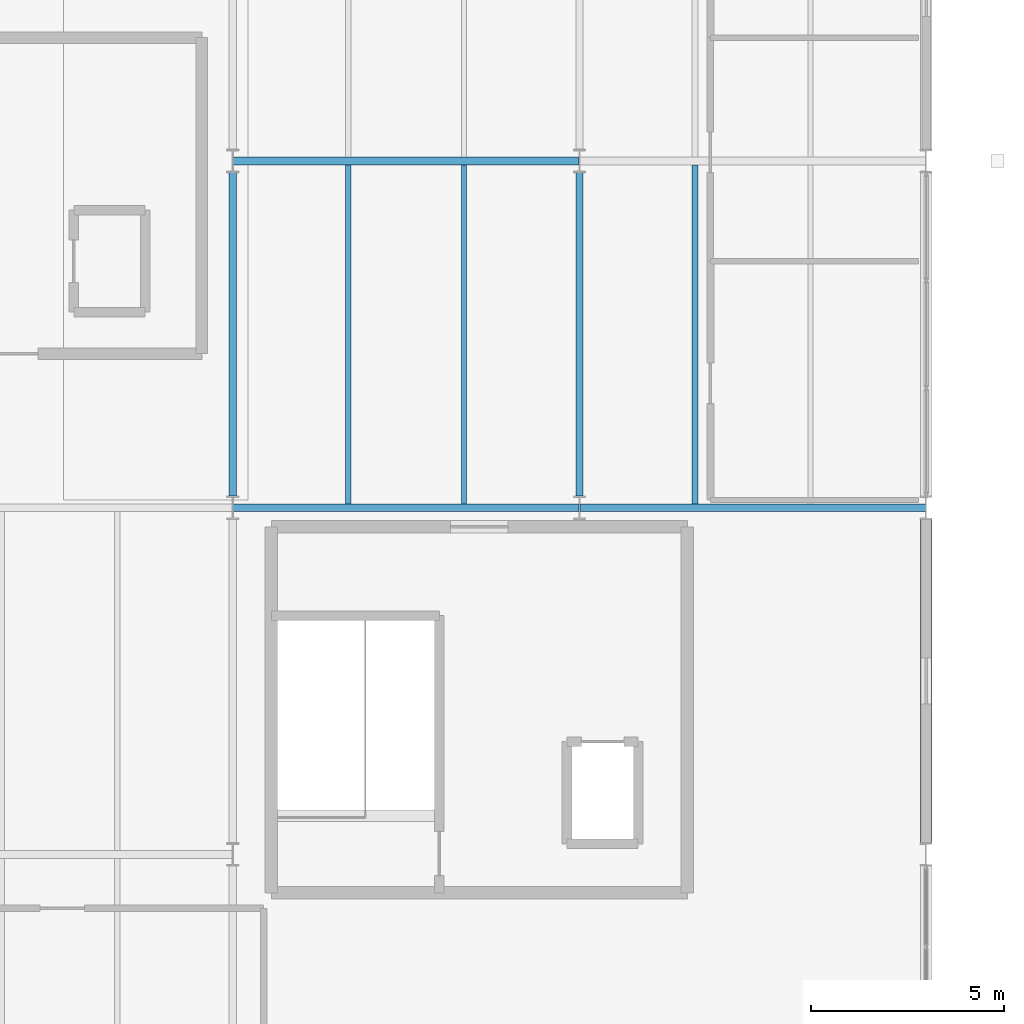
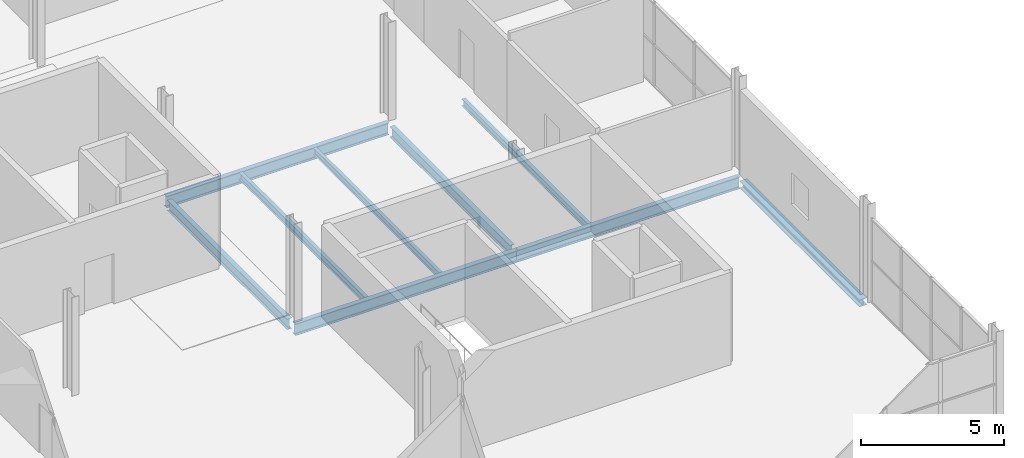
# One storey, part 22 of 44: 9 beams.
"""IFC4 building model written with IfcOpenShell, lengths in metres."""

import ifcopenshell
import ifcopenshell.guid

model = None  # the IFC model being written
_history = None  # IfcOwnerHistory: only IFC2X3 demands one
_inside = {}  # id of a spatial element -> (the spatial element, [elements in it])
_under = {}  # id of a project, library or spatial element -> (it, [spatial elements below it])
_declared = {}  # id of a project -> (the project, [libraries it declares])
_typed = {}  # id of a type object -> (the type object, [elements of that type])
_made_of = {}  # id of a material, layer set ... -> (it, [elements and type objects made of it])


def new_model(schema):
    """Start an empty IFC model of exactly this schema.

    Asked for "IFC4X3", IfcOpenShell would pick the latest addendum, in which some entities
    have other attributes; the version numbers below select the first issue.
    IFC2X3 requires an IfcOwnerHistory on every rooted entity: one is made here for all.
    """
    global model, _history
    if schema == "IFC4X3":
        model = ifcopenshell.file(schema_version=(4, 3, 0, 0))
    else:
        model = ifcopenshell.file(schema=schema)
    _inside.clear()
    _under.clear()
    _declared.clear()
    _typed.clear()
    _made_of.clear()
    _history = None
    if model.schema == "IFC2X3":
        org = make("IfcOrganization", Name="unknown")
        user = make(
            "IfcPersonAndOrganization",
            ThePerson=make("IfcPerson", FamilyName="unknown"),
            TheOrganization=org,
        )
        app = make(
            "IfcApplication",
            ApplicationDeveloper=org,
            Version="unknown",
            ApplicationFullName="unknown",
            ApplicationIdentifier="unknown",
        )
        _history = make(
            "IfcOwnerHistory",
            OwningUser=user,
            OwningApplication=app,
            ChangeAction="ADDED",
            CreationDate=0,
        )
    return model


def make(cls, **values):
    """One entity of the class cls with the attributes given. An attribute that is None is left unset."""
    return model.create_entity(
        cls, **{name: value for name, value in values.items() if value is not None}
    )


def rooted(cls, **values):
    """An entity with a GlobalId (a new one), such as an element, a storey or a relation."""
    return make(cls, GlobalId=ifcopenshell.guid.new(), OwnerHistory=_history, **values)


def si_unit(unit_type, name, prefix=None):
    """IfcSIUnit, for example si_unit("LENGTHUNIT", "METRE", prefix="MILLI")."""
    return make("IfcSIUnit", UnitType=unit_type, Prefix=prefix, Name=name)


def assignment(units):
    """IfcUnitAssignment: the units of a project."""
    return None if units is None else make("IfcUnitAssignment", Units=units)


def point(xyz):
    """IfcCartesianPoint."""
    return None if xyz is None else make("IfcCartesianPoint", Coordinates=xyz)


def direction(xyz):
    """IfcDirection."""
    return None if xyz is None else make("IfcDirection", DirectionRatios=xyz)


def frame(location, z_axis=None, x_axis=None):
    """IfcAxis2Placement3D, a coordinate frame: its origin and axes. An axis left out is left unset."""
    return make(
        "IfcAxis2Placement3D",
        Location=point(location),
        Axis=direction(z_axis),
        RefDirection=direction(x_axis),
    )


def frame_2d(location, x_axis=None):
    """IfcAxis2Placement2D, a coordinate frame in the plane: its origin and x axis."""
    return make(
        "IfcAxis2Placement2D", Location=point(location), RefDirection=direction(x_axis)
    )


def origin():
    """The frame at (0, 0, 0) with its axes left unset."""
    return frame((0.0, 0.0, 0.0))


def origin_2d():
    """The frame at (0, 0) in the plane with its x axis left unset."""
    return frame_2d((0.0, 0.0))


def place(relative_to, where):
    """IfcLocalPlacement: puts the frame where relative to a parent placement (None: the world)."""
    return make(
        "IfcLocalPlacement", PlacementRelTo=relative_to, RelativePlacement=where
    )


def context(
    kind, dimensions, precision=None, world=None, true_north=None, identifier=None
):
    """IfcGeometricRepresentationContext, for example the 3D "Model" context."""
    return make(
        "IfcGeometricRepresentationContext",
        ContextIdentifier=identifier,
        ContextType=kind,
        CoordinateSpaceDimension=dimensions,
        Precision=precision,
        WorldCoordinateSystem=world,
        TrueNorth=true_north,
    )


def subcontext(parent, identifier, kind, view, scale=None):
    """IfcGeometricRepresentationSubContext, for example "Body" below "Model"."""
    return make(
        "IfcGeometricRepresentationSubContext",
        ContextIdentifier=identifier,
        ContextType=kind,
        ParentContext=parent,
        TargetScale=scale,
        TargetView=view,
    )


def project(units=None, contexts=None):
    """IfcProject with its units and contexts."""
    return rooted(
        "IfcProject",
        Name="project",
        RepresentationContexts=contexts,
        UnitsInContext=assignment(units),
    )


def spatial(cls, under=None, at=None, **own):
    """A site, building, storey or space (cls), placed at a placement, below another one or the project."""
    s = rooted(cls, ObjectPlacement=at, **own)
    if under is not None:
        _under.setdefault(under.id(), (under, []))[1].append(s)
    return s


def profile(cls, at=None, kind="AREA", **sizes):
    """A parametric profile (cls). Its sizes go by their IFC names, for example OverallWidth=200.0."""
    return make(cls, ProfileType=kind, Position=at, **sizes)


def i_section(**sizes):
    """IfcIShapeProfileDef."""
    return profile("IfcIShapeProfileDef", **sizes)


def extrude(swept, where, along, depth):
    """IfcExtrudedAreaSolid: the profile swept, set in the frame where, extruded along a direction by depth."""
    return make(
        "IfcExtrudedAreaSolid",
        SweptArea=swept,
        Position=where,
        ExtrudedDirection=direction(along),
        Depth=depth,
    )


def shape(context_of_items, identifier, shape_type, items):
    """IfcShapeRepresentation: the items that make up one representation, for example the "Body"."""
    return make(
        "IfcShapeRepresentation",
        ContextOfItems=context_of_items,
        RepresentationIdentifier=identifier,
        RepresentationType=shape_type,
        Items=items,
    )


def material(Name=None, Category=None):
    """IfcMaterial."""
    return make("IfcMaterial", Name=Name, Category=Category)


def material_profile(
    of_material, cross_section, Name=None, Category=None, Priority=None
):
    """IfcMaterialProfile: a cross section and its material."""
    return make(
        "IfcMaterialProfile",
        Name=Name,
        Material=of_material,
        Profile=cross_section,
        Priority=Priority,
        Category=Category,
    )


def profile_set(profiles, Name=None, composite=None):
    """IfcMaterialProfileSet."""
    return make(
        "IfcMaterialProfileSet",
        Name=Name,
        MaterialProfiles=profiles,
        CompositeProfile=composite,
    )


def made_of(thing, what):
    """Note that an element or type object is made of a material, layer set ...; save() writes the relation."""
    if what is not None:
        _made_of.setdefault(what.id(), (what, []))[1].append(thing)
    return thing


def type_object(cls, material=None, **own):
    """A type object (cls), such as IfcWallType, which elements share."""
    return made_of(rooted(cls, **own), material)


def element(
    cls,
    number,
    at=None,
    inside=None,
    cuts=None,
    type_object=None,
    material=None,
    context=None,
    identifier="Body",
    shape_type=None,
    held_by="IfcProductDefinitionShape",
    body=None,
    shapes=None,
    **own,
):
    """One element of the class cls, such as IfcWall. Its Tag is "e" and its number.

    at: its placement. inside: the storey or other place that contains it. cuts: it is an
    opening in that element (IfcRelVoidsElement). A single representation is given by context,
    identifier, shape_type and body (its items); several are given by shapes. held_by: the class
    of the entity that holds the representations. save() writes the other relations.
    """
    e = rooted(cls, Tag="e%d" % number, ObjectPlacement=at, **own)
    if body is not None:
        shapes = [shape(context, identifier, shape_type, body)]
    if shapes is not None:
        e.Representation = make(held_by, Representations=shapes)
    if inside is not None:
        _inside.setdefault(inside.id(), (inside, []))[1].append(e)
    if cuts is not None:
        rooted(
            "IfcRelVoidsElement", RelatingBuildingElement=cuts, RelatedOpeningElement=e
        )
    if type_object is not None:
        _typed.setdefault(type_object.id(), (type_object, []))[1].append(e)
    return made_of(e, material)


def aggregate(whole, parts):
    """IfcRelAggregates: a whole, such as a stair, and the parts it consists of."""
    return rooted("IfcRelAggregates", RelatingObject=whole, RelatedObjects=parts)


def save(model, path):
    """Write the relations noted so far, then the file.

    IfcRelAggregates (storeys below a building ...), IfcRelContainedInSpatialStructure (elements
    in a storey), IfcRelDefinesByType, IfcRelAssociatesMaterial and IfcRelDeclares: one each for
    every whole, place, type object, material and project.
    """
    for whole, parts in _under.values():
        aggregate(whole, parts)
    for where, things in _inside.values():
        rooted(
            "IfcRelContainedInSpatialStructure",
            RelatedElements=things,
            RelatingStructure=where,
        )
    for kind, things in _typed.values():
        rooted("IfcRelDefinesByType", RelatedObjects=things, RelatingType=kind)
    for what, things in _made_of.values():
        rooted("IfcRelAssociatesMaterial", RelatedObjects=things, RelatingMaterial=what)
    for by, libraries in _declared.values():
        rooted("IfcRelDeclares", RelatingContext=by, RelatedDefinitions=libraries)
    model.write(path)


model = new_model("IFC4")

# Units and contexts
model_context = context("Model", 3, precision=1e-05, world=origin(), true_north=direction((0.0, 1.0)))
body_context = subcontext(model_context, "Body", "Model", "MODEL_VIEW")
ifc_project = project(units=[si_unit("LENGTHUNIT", "METRE"), si_unit("AREAUNIT", "SQUARE_METRE"), si_unit("VOLUMEUNIT", "CUBIC_METRE"), si_unit("PLANEANGLEUNIT", "RADIAN"), si_unit("MASSUNIT", "GRAM", prefix="KILO")], contexts=[model_context])

# Site, building, storey
site_placement = place(None, origin())
site = spatial("IfcSite", under=ifc_project, at=site_placement, CompositionType="ELEMENT")
building_placement = place(site_placement, origin())
building = spatial("IfcBuilding", under=site, at=building_placement, Name="Deido Ridge Mobility Hub", CompositionType="ELEMENT")
storey_placement = place(building_placement, frame((0.0, 0.0, 25.199951171875)))
storey = spatial("IfcBuildingStorey", under=building, at=storey_placement, Name="L06", CompositionType="ELEMENT", Elevation=25.199951171875)

# Beams
ifc_material = material(Name="Steel S355J2 EN 10025-2", Category="steel")
ifc_material_profile_1 = material_profile(ifc_material, i_section(OverallWidth=0.18994140625, OverallDepth=0.449951171875, WebThickness=0.009521484375, FlangeThickness=0.0146484375, FilletRadius=0.02099609375, at=origin_2d()), Name="IPE 450")
ifc_profile_set_1 = profile_set([ifc_material_profile_1], Name="Steel S355J2 EN 10025-2")
beam_type_1 = type_object("IfcBeamType", Name="BM-IPE450", PredefinedType="BEAM", material=ifc_profile_set_1)
for number, where, z_axis, x_axis, name in (
    (1, (162.0, 18.300048828125, -0.46484375), (0.0, 1.0, 0.0), (-1.0, 0.0, 0.0), "Floor beam B4"),
    (2, (171.0, 18.300048828125, -0.46484375), (0.0, 1.0, 0.0), (-1.0, 0.0, 0.0), "Floor beam B4"),
):
    element("IfcBeam", number, at=place(storey_placement, frame(where, z_axis=z_axis, x_axis=x_axis)), inside=storey, type_object=beam_type_1, Name=name, PredefinedType="BEAM", context=body_context, shape_type="SweptSolid", body=[
        extrude(i_section(OverallWidth=0.18994140625, OverallDepth=0.449951171875, WebThickness=0.009521484375, FlangeThickness=0.0146484375, FilletRadius=0.02099609375, at=origin_2d()), origin(), (0.0, 0.0, 1.0), 8.39990234375),
    ])
ifc_material_profile_2 = material_profile(ifc_material, i_section(OverallWidth=0.199951171875, OverallDepth=0.5, WebThickness=0.01025390625, FlangeThickness=0.01611328125, FilletRadius=0.02099609375, at=origin_2d()), Name="IPE 500")
ifc_profile_set_2 = profile_set([ifc_material_profile_2], Name="Steel S355J2 EN 10025-2")
beam_type_2 = type_object("IfcBeamType", Name="BM-IPE500", PredefinedType="BEAM", material=ifc_profile_set_2)
for number, where, z_axis, x_axis, name in (
    (3, (162.0078125, 18.0, -0.489990234375), (1.0, 0.0, 0.0), (0.0, 1.0, 0.0), "Floor beam B3"),
    (4, (171.0078125, 18.0, -0.489990234375), (1.0, 0.0, 0.0), (0.0, 1.0, 0.0), "Floor beam B3"),
    (5, (162.0078125, 27.0, -0.489990234375), (1.0, 0.0, 0.0), (0.0, 1.0, 0.0), "Floor beam B3"),
):
    element("IfcBeam", number, at=place(storey_placement, frame(where, z_axis=z_axis, x_axis=x_axis)), inside=storey, type_object=beam_type_2, Name=name, PredefinedType="BEAM", context=body_context, shape_type="SweptSolid", body=[
        extrude(i_section(OverallWidth=0.199951171875, OverallDepth=0.5, WebThickness=0.01025390625, FlangeThickness=0.01611328125, FilletRadius=0.02099609375, at=origin_2d()), origin(), (0.0, 0.0, 1.0), 8.984375),
    ])
ifc_material_profile_3 = material_profile(ifc_material, i_section(OverallWidth=0.135009765625, OverallDepth=0.27001953125, WebThickness=0.006591796875, FlangeThickness=0.01025390625, FilletRadius=0.014892578125, at=origin_2d()), Name="IPE 270")
ifc_profile_set_3 = profile_set([ifc_material_profile_3], Name="Steel S355J2 EN 10025-2")
beam_type_3 = type_object("IfcBeamType", Name="JST-IPE270", PredefinedType="JOIST", material=ifc_profile_set_3)
beam_1_placement = place(storey_placement, frame((168.0, 18.10009765625, -0.375), z_axis=(0.0, 1.0, 0.0), x_axis=(-1.0, 0.0, 0.0)))
element("IfcBeam", 6, at=beam_1_placement, inside=storey, type_object=beam_type_3, Name="Composite joist J4", PredefinedType="JOIST", context=body_context, shape_type="SweptSolid", body=[
    extrude(i_section(OverallWidth=0.135009765625, OverallDepth=0.27001953125, WebThickness=0.006591796875, FlangeThickness=0.01025390625, FilletRadius=0.014892578125, at=origin_2d()), origin(), (0.0, 0.0, 1.0), 8.7998046875),
])
ifc_material_profile_4 = material_profile(ifc_material, i_section(OverallWidth=0.14990234375, OverallDepth=0.300048828125, WebThickness=0.007080078125, FlangeThickness=0.0107421875, FilletRadius=0.014892578125, at=origin_2d()), Name="IPE 300")
ifc_profile_set_4 = profile_set([ifc_material_profile_4], Name="Steel S355J2 EN 10025-2")
beam_type_4 = type_object("IfcBeamType", Name="JST-IPE300", PredefinedType="JOIST", material=ifc_profile_set_4)
for number, where, z_axis, x_axis, name in (
    (7, (165.0, 18.10009765625, -0.389892578125), (0.0, 1.0, 0.0), (-1.0, 0.0, 0.0), "Composite joist J3"),
    (8, (174.0, 18.10009765625, -0.389892578125), (0.0, 1.0, 0.0), (-1.0, 0.0, 0.0), "Composite joist J3"),
):
    element("IfcBeam", number, at=place(storey_placement, frame(where, z_axis=z_axis, x_axis=x_axis)), inside=storey, type_object=beam_type_4, Name=name, PredefinedType="JOIST", context=body_context, shape_type="SweptSolid", body=[
        extrude(i_section(OverallWidth=0.14990234375, OverallDepth=0.300048828125, WebThickness=0.007080078125, FlangeThickness=0.0107421875, FilletRadius=0.014892578125, at=origin_2d()), origin(), (0.0, 0.0, 1.0), 8.7998046875),
    ])
ifc_material_profile_5 = material_profile(ifc_material, i_section(OverallWidth=0.300048828125, OverallDepth=0.300048828125, WebThickness=0.010986328125, FlangeThickness=0.01904296875, FilletRadius=0.027099609375, at=origin_2d()), Name="HEB 300")
ifc_profile_set_5 = profile_set([ifc_material_profile_5], Name="Steel S355J2 EN 10025-2")
beam_type_5 = type_object("IfcBeamType", Name="SPD-HEB300", PredefinedType="SPANDREL", material=ifc_profile_set_5)
beam_2_placement = place(storey_placement, frame((180.0, 9.300048828125, -0.389892578125), z_axis=(0.0, 1.0, 0.0), x_axis=(-1.0, 0.0, 0.0)))
element("IfcBeam", 9, at=beam_2_placement, inside=storey, type_object=beam_type_5, Name="Floor beam SP1", PredefinedType="SPANDREL", context=body_context, shape_type="SweptSolid", body=[
    extrude(i_section(OverallWidth=0.300048828125, OverallDepth=0.300048828125, WebThickness=0.010986328125, FlangeThickness=0.01904296875, FilletRadius=0.027099609375, at=origin_2d()), origin(), (0.0, 0.0, 1.0), 8.39990234375),
])

save(model, "model.ifc")
